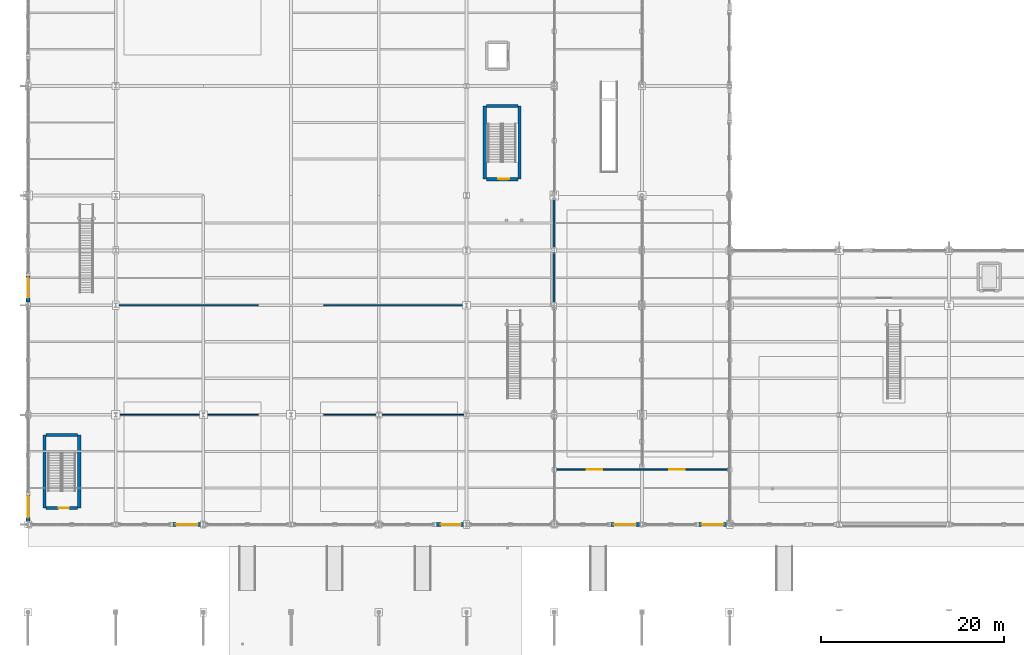
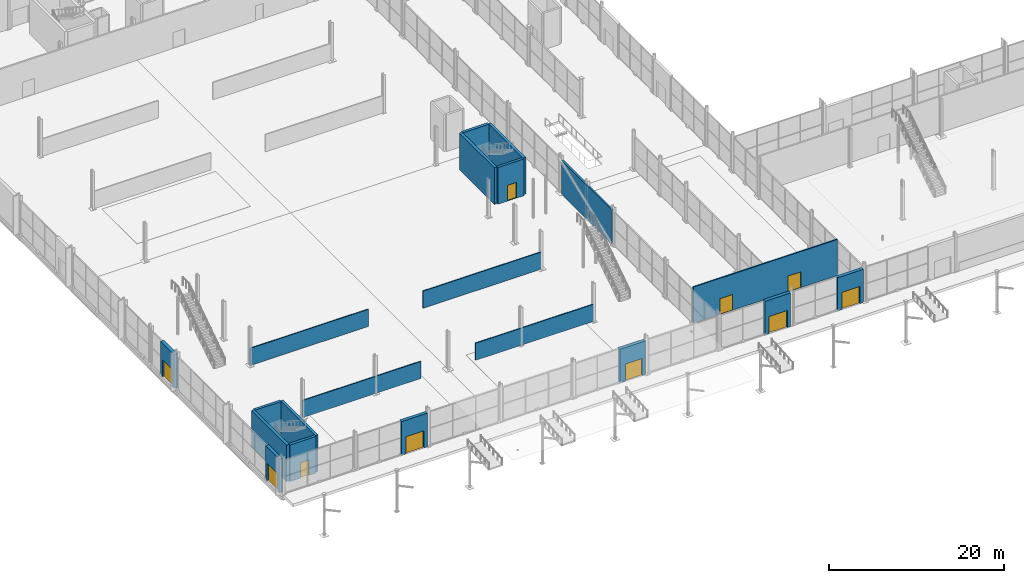
# One storey, part 169 of 196: 20 walls, 10 doors, 10 openings.
"""IFC4 building model written with IfcOpenShell, lengths in metres."""

from ifc_helpers import new_model, si_unit, direction, frame, frame_2d, origin, place, context, subcontext, project, spatial, rectangle, extrude, material, layer, layer_set, type_object, element, fill, save


model = new_model("IFC4")

# Units and contexts
model_context = context("Model", 3, precision=1e-05, world=origin(), true_north=direction((0.0, 1.0)))
body_context = subcontext(model_context, "Body", "Model", "MODEL_VIEW")
ifc_project = project(units=[si_unit("LENGTHUNIT", "METRE"), si_unit("AREAUNIT", "SQUARE_METRE"), si_unit("VOLUMEUNIT", "CUBIC_METRE"), si_unit("PLANEANGLEUNIT", "RADIAN"), si_unit("MASSUNIT", "GRAM", prefix="KILO")], contexts=[model_context])

# Site, building, storey
site_placement = place(None, origin())
site = spatial("IfcSite", under=ifc_project, at=site_placement, CompositionType="ELEMENT")
building_placement = place(site_placement, origin())
building = spatial("IfcBuilding", under=site, at=building_placement, Name="Merenkruunu Market Hall", CompositionType="ELEMENT")
storey_placement = place(building_placement, origin())
storey = spatial("IfcBuildingStorey", under=building, at=storey_placement, Name="L00", CompositionType="ELEMENT", Elevation=0.0)

# Wall, opening, door
ifc_material_1 = material(Name="Kuru grey granite", Category="masonry")
ifc_layer_1 = layer(ifc_material_1, 0.419921875)
ifc_layer_set_1 = layer_set([ifc_layer_1], Name="Kuru grey granite")
wall_type_1 = type_object("IfcWallType", Name="Exterior Envelope Wall EW01", PredefinedType="STANDARD", material=ifc_layer_set_1)
wall_1_placement = place(storey_placement, frame((0.0, 15.928955078125, 0.0), z_axis=(0.0, 0.0, 1.0), x_axis=(0.0, 1.0, 0.0)))
wall_1 = element("IfcWall", 1, at=wall_1_placement, inside=storey, type_object=wall_type_1, Name="WALL-EXT-L00-0001", PredefinedType="STANDARD", context=body_context, shape_type="SweptSolid", body=[
    extrude(rectangle(XDim=3.12109375, YDim=0.419921875, at=frame_2d((1.560546875, 0.0))), origin(), (0.0, 0.0, 1.0), 4.699951171875),
])
opening_1_placement = place(wall_1_placement, frame((0.419921875, 0.0, 0.0)))
opening_1 = element("IfcOpeningElement", 2, at=opening_1_placement, cuts=wall_1, Name="Opening EXD01", PredefinedType="OPENING", context=body_context, shape_type="SweptSolid", body=[
    extrude(rectangle(XDim=2.39990234375, YDim=2.39990234375, at=frame_2d((1.199951171875, 1.199951171875))), frame((0.0, 0.219970703125, 0.0), z_axis=(0.0, -1.0, 0.0), x_axis=(1.0, 0.0, 0.0)), (0.0, 0.0, 1.0), 0.43994140625),
])
ifc_material_2 = material(Name="Powder-coated aluminium", Category="aluminium")
door_type_1 = type_object("IfcDoorType", Name="Pedestrian Exit Door EXD01", OperationType="NOTDEFINED", PredefinedType="DOOR", material=ifc_material_2)
door_1_placement = place(opening_1_placement, origin())
door_1 = element("IfcDoor", 3, at=door_1_placement, inside=storey, type_object=door_type_1, Name="EX-01", OperationType="DOUBLE_DOOR_SINGLE_SWING", OverallHeight=2.39990234375, OverallWidth=2.39990234375, PredefinedType="DOOR", context=body_context, shape_type="SweptSolid", body=[
    extrude(rectangle(XDim=2.39990234375, YDim=2.39990234375, at=frame_2d((1.199951171875, 1.199951171875))), frame((0.0, 0.02490234375, 0.0), z_axis=(0.0, -1.0, 0.0), x_axis=(1.0, 0.0, 0.0)), (0.0, 0.0, 1.0), 0.050048828125),
])
fill(opening_1, door_1)

wall_2_placement = place(storey_placement, frame((0.0, 39.928955078125, 0.0), z_axis=(0.0, 0.0, 1.0), x_axis=(0.0, 1.0, 0.0)))
wall_2 = element("IfcWall", 4, at=wall_2_placement, inside=storey, type_object=wall_type_1, Name="WALL-EXT-L00-0002", PredefinedType="STANDARD", context=body_context, shape_type="SweptSolid", body=[
    extrude(rectangle(XDim=3.12109375, YDim=0.419921875, at=frame_2d((1.560546875, 0.0))), origin(), (0.0, 0.0, 1.0), 4.699951171875),
])
opening_2_placement = place(wall_2_placement, frame((0.47998046875, 0.0, 0.0)))
opening_2 = element("IfcOpeningElement", 5, at=opening_2_placement, cuts=wall_2, Name="Opening EXD02", PredefinedType="OPENING", context=body_context, shape_type="SweptSolid", body=[
    extrude(rectangle(XDim=2.199951171875, YDim=2.39990234375, at=frame_2d((1.10009765625, 1.199951171875))), frame((0.0, 0.219970703125, 0.0), z_axis=(0.0, -1.0, 0.0), x_axis=(1.0, 0.0, 0.0)), (0.0, 0.0, 1.0), 0.43994140625),
])
door_type_2 = type_object("IfcDoorType", Name="Pedestrian Exit Door EXD02", OperationType="NOTDEFINED", PredefinedType="DOOR", material=ifc_material_2)
door_2_placement = place(opening_2_placement, origin())
door_2 = element("IfcDoor", 6, at=door_2_placement, inside=storey, type_object=door_type_2, Name="EX-02", OperationType="DOUBLE_DOOR_SINGLE_SWING", OverallHeight=2.39990234375, OverallWidth=2.199951171875, PredefinedType="DOOR", context=body_context, shape_type="SweptSolid", body=[
    extrude(rectangle(XDim=2.199951171875, YDim=2.39990234375, at=frame_2d((1.10009765625, 1.199951171875))), frame((0.0, 0.02490234375, 0.0), z_axis=(0.0, -1.0, 0.0), x_axis=(1.0, 0.0, 0.0)), (0.0, 0.0, 1.0), 0.050048828125),
])
fill(opening_2, door_2)

wall_3_placement = place(storey_placement, frame((19.0458984375, 15.60009765625, 0.0), z_axis=(0.0, 0.0, 1.0), x_axis=(-1.0, 0.0, 0.0)))
wall_3 = element("IfcWall", 7, at=wall_3_placement, inside=storey, type_object=wall_type_1, Name="WALL-EXT-L00-0012", PredefinedType="STANDARD", context=body_context, shape_type="SweptSolid", body=[
    extrude(rectangle(XDim=3.39599609375, YDim=0.419921875, at=frame_2d((1.697998046875, 0.0))), origin(), (0.0, 0.0, 1.0), 4.699951171875),
])
opening_3_placement = place(wall_3_placement, frame((0.449951171875, 0.0, 0.0)))
opening_3 = element("IfcOpeningElement", 8, at=opening_3_placement, cuts=wall_3, Name="Opening EXD01", PredefinedType="OPENING", context=body_context, shape_type="SweptSolid", body=[
    extrude(rectangle(XDim=2.39990234375, YDim=2.39990234375, at=frame_2d((1.199951171875, 1.199951171875))), frame((0.0, 0.219970703125, 0.0), z_axis=(0.0, -1.0, 0.0), x_axis=(1.0, 0.0, 0.0)), (0.0, 0.0, 1.0), 0.43994140625),
])
door_3_placement = place(opening_3_placement, origin())
door_3 = element("IfcDoor", 9, at=door_3_placement, inside=storey, type_object=door_type_1, Name="EX-05", OperationType="DOUBLE_DOOR_SINGLE_SWING", OverallHeight=2.39990234375, OverallWidth=2.39990234375, PredefinedType="DOOR", context=body_context, shape_type="SweptSolid", body=[
    extrude(rectangle(XDim=2.39990234375, YDim=2.39990234375, at=frame_2d((1.199951171875, 1.199951171875))), frame((0.0, 0.02490234375, 0.0), z_axis=(0.0, -1.0, 0.0), x_axis=(1.0, 0.0, 0.0)), (0.0, 0.0, 1.0), 0.050048828125),
])
fill(opening_3, door_3)

wall_4_placement = place(storey_placement, frame((47.845947265625, 15.60009765625, 0.0), z_axis=(0.0, 0.0, 1.0), x_axis=(-1.0, 0.0, 0.0)))
wall_4 = element("IfcWall", 10, at=wall_4_placement, inside=storey, type_object=wall_type_1, Name="WALL-EXT-L00-0013", PredefinedType="STANDARD", context=body_context, shape_type="SweptSolid", body=[
    extrude(rectangle(XDim=3.39599609375, YDim=0.419921875, at=frame_2d((1.697998046875, 0.0))), origin(), (0.0, 0.0, 1.0), 4.699951171875),
])
opening_4_placement = place(wall_4_placement, frame((0.449951171875, 0.0, 0.0)))
opening_4 = element("IfcOpeningElement", 11, at=opening_4_placement, cuts=wall_4, Name="Opening EXD02", PredefinedType="OPENING", context=body_context, shape_type="SweptSolid", body=[
    extrude(rectangle(XDim=2.199951171875, YDim=2.39990234375, at=frame_2d((1.10009765625, 1.199951171875))), frame((0.0, 0.219970703125, 0.0), z_axis=(0.0, -1.0, 0.0), x_axis=(1.0, 0.0, 0.0)), (0.0, 0.0, 1.0), 0.43994140625),
])
door_4_placement = place(opening_4_placement, origin())
door_4 = element("IfcDoor", 12, at=door_4_placement, inside=storey, type_object=door_type_2, Name="EX-06", OperationType="DOUBLE_DOOR_SINGLE_SWING", OverallHeight=2.39990234375, OverallWidth=2.199951171875, PredefinedType="DOOR", context=body_context, shape_type="SweptSolid", body=[
    extrude(rectangle(XDim=2.199951171875, YDim=2.39990234375, at=frame_2d((1.10009765625, 1.199951171875))), frame((0.0, 0.02490234375, 0.0), z_axis=(0.0, -1.0, 0.0), x_axis=(1.0, 0.0, 0.0)), (0.0, 0.0, 1.0), 0.050048828125),
])
fill(opening_4, door_4)

wall_5_placement = place(storey_placement, frame((66.992919921875, 15.60009765625, 0.0), z_axis=(0.0, 0.0, 1.0), x_axis=(-1.0, 0.0, 0.0)))
wall_5 = element("IfcWall", 13, at=wall_5_placement, inside=storey, type_object=wall_type_1, Name="WALL-EXT-L00-0024", PredefinedType="STANDARD", context=body_context, shape_type="SweptSolid", body=[
    extrude(rectangle(XDim=3.392822265625, YDim=0.419921875, at=frame_2d((1.6962890625, 0.0))), origin(), (0.0, 0.0, 1.0), 4.699951171875),
])
opening_5_placement = place(wall_5_placement, frame((0.449951171875, 0.0, 0.0)))
opening_5 = element("IfcOpeningElement", 14, at=opening_5_placement, cuts=wall_5, Name="Opening EXD01", PredefinedType="OPENING", context=body_context, shape_type="SweptSolid", body=[
    extrude(rectangle(XDim=2.39990234375, YDim=2.39990234375, at=frame_2d((1.199951171875, 1.199951171875))), frame((0.0, 0.219970703125, 0.0), z_axis=(0.0, -1.0, 0.0), x_axis=(1.0, 0.0, 0.0)), (0.0, 0.0, 1.0), 0.43994140625),
])
door_5_placement = place(opening_5_placement, origin())
door_5 = element("IfcDoor", 15, at=door_5_placement, inside=storey, type_object=door_type_1, Name="EX-10", OperationType="DOUBLE_DOOR_SINGLE_SWING", OverallHeight=2.39990234375, OverallWidth=2.39990234375, PredefinedType="DOOR", context=body_context, shape_type="SweptSolid", body=[
    extrude(rectangle(XDim=2.39990234375, YDim=2.39990234375, at=frame_2d((1.199951171875, 1.199951171875))), frame((0.0, 0.02490234375, 0.0), z_axis=(0.0, -1.0, 0.0), x_axis=(1.0, 0.0, 0.0)), (0.0, 0.0, 1.0), 0.050048828125),
])
fill(opening_5, door_5)

wall_6_placement = place(storey_placement, frame((76.5927734375, 15.60009765625, 0.0), z_axis=(0.0, 0.0, 1.0), x_axis=(-1.0, 0.0, 0.0)))
wall_6 = element("IfcWall", 16, at=wall_6_placement, inside=storey, type_object=wall_type_1, Name="WALL-EXT-L00-0026", PredefinedType="STANDARD", context=body_context, shape_type="SweptSolid", body=[
    extrude(rectangle(XDim=3.392822265625, YDim=0.419921875, at=frame_2d((1.6962890625, 0.0))), origin(), (0.0, 0.0, 1.0), 4.635009765625),
])
opening_6_placement = place(wall_6_placement, frame((0.449951171875, 0.0, 0.0)))
opening_6 = element("IfcOpeningElement", 17, at=opening_6_placement, cuts=wall_6, Name="Opening EXD01", PredefinedType="OPENING", context=body_context, shape_type="SweptSolid", body=[
    extrude(rectangle(XDim=2.39990234375, YDim=2.39990234375, at=frame_2d((1.199951171875, 1.199951171875))), frame((0.0, 0.219970703125, 0.0), z_axis=(0.0, -1.0, 0.0), x_axis=(1.0, 0.0, 0.0)), (0.0, 0.0, 1.0), 0.43994140625),
])
door_6_placement = place(opening_6_placement, origin())
door_6 = element("IfcDoor", 18, at=door_6_placement, inside=storey, type_object=door_type_1, Name="EX-12", OperationType="DOUBLE_DOOR_SINGLE_SWING", OverallHeight=2.39990234375, OverallWidth=2.39990234375, PredefinedType="DOOR", context=body_context, shape_type="SweptSolid", body=[
    extrude(rectangle(XDim=2.39990234375, YDim=2.39990234375, at=frame_2d((1.199951171875, 1.199951171875))), frame((0.0, 0.02490234375, 0.0), z_axis=(0.0, -1.0, 0.0), x_axis=(1.0, 0.0, 0.0)), (0.0, 0.0, 1.0), 0.050048828125),
])
fill(opening_6, door_6)

# Wall
ifc_material_3 = material(Name="Acoustic mineral wool panel")
ifc_layer_2 = layer(ifc_material_3, 0.219970703125)
ifc_layer_set_2 = layer_set([ifc_layer_2], Name="Acoustic mineral wool panel")
wall_type_2 = type_object("IfcWallType", Name="Interior Partition Wall FW01", PredefinedType="PARTITIONING", material=ifc_layer_set_2)
wall_7_placement = place(storey_placement, frame((57.60009765625, 39.8798828125, 0.0), z_axis=(0.0, 0.0, 1.0), x_axis=(0.0, 1.0, 0.0)))
element("IfcWall", 19, at=wall_7_placement, inside=storey, type_object=wall_type_2, Name="WALL-EXT-L00-0020", PredefinedType="PARTITIONING", context=body_context, shape_type="SweptSolid", body=[
    extrude(rectangle(XDim=11.440185546875, YDim=0.219970703125, at=frame_2d((5.72021484375, 0.0))), origin(), (0.0, 0.0, 1.0), 4.75),
])

# Wall, openings, doors
ifc_material_4 = material(Name="Gypsum acoustic partition board")
ifc_layer_3 = layer(ifc_material_4, 0.159912109375)
ifc_layer_set_3 = layer_set([ifc_layer_3], Name="Gypsum acoustic partition board")
wall_type_3 = type_object("IfcWallType", Name="Interior Partition Wall PW01", PredefinedType="PARTITIONING", material=ifc_layer_set_3)
wall_8_placement = place(storey_placement, frame((57.681884765625, 21.60009765625, 0.0), z_axis=(0.0, 0.0, 1.0), x_axis=(1.0, 0.0, 0.0)))
wall_8 = element("IfcWall", 20, at=wall_8_placement, inside=storey, type_object=wall_type_3, Name="WALL-INT-L00-0033", PredefinedType="PARTITIONING", context=body_context, shape_type="SweptSolid", body=[
    extrude(rectangle(XDim=19.0361328125, YDim=0.159912109375, at=frame_2d((9.51806640625, 0.0))), origin(), (0.0, 0.0, 1.0), 5.0400390625),
])
opening_7_placement = place(wall_8_placement, frame((3.5, 0.0, 0.0)))
opening_7 = element("IfcOpeningElement", 21, at=opening_7_placement, cuts=wall_8, Name="Opening D07", PredefinedType="OPENING", context=body_context, shape_type="SweptSolid", body=[
    extrude(rectangle(XDim=1.699951171875, YDim=2.199951171875, at=frame_2d((0.85009765625, 1.10009765625))), frame((0.0, 0.08984375, 0.0), z_axis=(0.0, -1.0, 0.0), x_axis=(1.0, 0.0, 0.0)), (0.0, 0.0, 1.0), 0.179931640625),
])
opening_8_placement = place(wall_8_placement, frame((12.5, 0.0, 0.0)))
opening_8 = element("IfcOpeningElement", 22, at=opening_8_placement, cuts=wall_8, Name="Opening D07", PredefinedType="OPENING", context=body_context, shape_type="SweptSolid", body=[
    extrude(rectangle(XDim=1.699951171875, YDim=2.199951171875, at=frame_2d((0.85009765625, 1.10009765625))), frame((0.0, 0.08984375, 0.0), z_axis=(0.0, -1.0, 0.0), x_axis=(1.0, 0.0, 0.0)), (0.0, 0.0, 1.0), 0.179931640625),
])
ifc_material_5 = material(Name="Lacquered Nordic birch")
door_type_3 = type_object("IfcDoorType", Name="Pedestrian Room Door D07", OperationType="NOTDEFINED", PredefinedType="DOOR", material=ifc_material_5)
door_7_placement = place(opening_7_placement, origin())
door_7 = element("IfcDoor", 23, at=door_7_placement, inside=storey, type_object=door_type_3, Name="DR-L00-033", OperationType="DOUBLE_DOOR_SINGLE_SWING", OverallHeight=2.199951171875, OverallWidth=1.699951171875, PredefinedType="DOOR", context=body_context, shape_type="SweptSolid", body=[
    extrude(rectangle(XDim=1.699951171875, YDim=2.199951171875, at=frame_2d((0.85009765625, 1.10009765625))), frame((0.0, 0.02490234375, 0.0), z_axis=(0.0, -1.0, 0.0), x_axis=(1.0, 0.0, 0.0)), (0.0, 0.0, 1.0), 0.050048828125),
])
fill(opening_7, door_7)
door_8_placement = place(opening_8_placement, origin())
door_8 = element("IfcDoor", 24, at=door_8_placement, inside=storey, type_object=door_type_3, Name="DR-L00-034", OperationType="DOUBLE_DOOR_SINGLE_SWING", OverallHeight=2.199951171875, OverallWidth=1.699951171875, PredefinedType="DOOR", context=body_context, shape_type="SweptSolid", body=[
    extrude(rectangle(XDim=1.699951171875, YDim=2.199951171875, at=frame_2d((0.85009765625, 1.10009765625))), frame((0.0, 0.02490234375, 0.0), z_axis=(0.0, -1.0, 0.0), x_axis=(1.0, 0.0, 0.0)), (0.0, 0.0, 1.0), 0.050048828125),
])
fill(opening_8, door_8)

# Walls
ifc_material_6 = material(Name="Lacquered Nordic birch stall divider", Category="wood")
ifc_layer_4 = layer(ifc_material_6, 0.1201171875)
ifc_layer_set_4 = layer_set([ifc_layer_4], Name="Lacquered Nordic birch stall divider")
wall_type_4 = type_object("IfcWallType", Name="Interior Partition Wall PW03", PredefinedType="PARTITIONING", material=ifc_layer_set_4)
for number, where, z_axis, x_axis, name in (
    (25, (9.60009765625, 27.60009765625, 0.0), (0.0, 0.0, 1.0), (1.0, 0.0, 0.0), "WALL-INT-L00-0020"),
    (26, (9.60009765625, 39.60009765625, 0.0), (0.0, 0.0, 1.0), (1.0, 0.0, 0.0), "WALL-INT-L00-0021"),
):
    element("IfcWall", number, at=place(storey_placement, frame(where, z_axis=z_axis, x_axis=x_axis)), inside=storey, type_object=wall_type_4, Name=name, PredefinedType="PARTITIONING", context=body_context, shape_type="SweptSolid", body=[
        extrude(rectangle(XDim=15.599853515625, YDim=0.1201171875, at=frame_2d((7.7998046875, 0.0))), origin(), (0.0, 0.0, 1.0), 2.39990234375),
    ])
for number, where, z_axis, x_axis, name in (
    (27, (32.39990234375, 27.60009765625, 0.0), (0.0, 0.0, 1.0), (1.0, 0.0, 0.0), "WALL-INT-L00-0024"),
    (28, (32.39990234375, 39.60009765625, 0.0), (0.0, 0.0, 1.0), (1.0, 0.0, 0.0), "WALL-INT-L00-0025"),
):
    element("IfcWall", number, at=place(storey_placement, frame(where, z_axis=z_axis, x_axis=x_axis)), inside=storey, type_object=wall_type_4, Name=name, PredefinedType="PARTITIONING", context=body_context, shape_type="SweptSolid", body=[
        extrude(rectangle(XDim=15.60009765625, YDim=0.1201171875, at=frame_2d((7.800048828125, 0.0))), origin(), (0.0, 0.0, 1.0), 2.39990234375),
    ])

# Wall, opening, door
ifc_material_7 = material(Name="Concrete C35/45", Category="concrete")
ifc_layer_5 = layer(ifc_material_7, 0.360107421875)
ifc_layer_set_5 = layer_set([ifc_layer_5], Name="Concrete C35/45")
wall_type_5 = type_object("IfcWallType", Name="Structural Shear Wall SW01", PredefinedType="SHEAR", material=ifc_layer_set_5)
wall_9_placement = place(storey_placement, frame((5.419921875, 17.39990234375, 0.0), z_axis=(0.0, 0.0, 1.0), x_axis=(-1.0, 0.0, 0.0)))
wall_9 = element("IfcWall", 29, at=wall_9_placement, inside=storey, type_object=wall_type_5, Name="WALL-CORE-K2-L00-S", PredefinedType="SHEAR", context=body_context, shape_type="SweptSolid", body=[
    extrude(rectangle(XDim=3.43994140625, YDim=0.360107421875, at=frame_2d((1.719970703125, 0.0))), origin(), (0.0, 0.0, 1.0), 5.1201171875),
])
opening_9_placement = place(wall_9_placement, frame((0.949951171875, 0.0, 0.0)))
opening_9 = element("IfcOpeningElement", 30, at=opening_9_placement, cuts=wall_9, Name="Opening FD02", PredefinedType="OPENING", context=body_context, shape_type="SweptSolid", body=[
    extrude(rectangle(XDim=1.10009765625, YDim=2.14990234375, at=frame_2d((0.550048828125, 1.074951171875))), frame((0.0, 0.18994140625, 0.0), z_axis=(0.0, -1.0, 0.0), x_axis=(1.0, 0.0, 0.0)), (0.0, 0.0, 1.0), 0.380126953125),
])
door_type_4 = type_object("IfcDoorType", Name="Fire Compartment Door FD02", OperationType="NOTDEFINED", PredefinedType="DOOR", material=ifc_material_2)
door_9_placement = place(opening_9_placement, origin())
door_9 = element("IfcDoor", 31, at=door_9_placement, inside=storey, type_object=door_type_4, Name="DR-L00-102", OperationType="SINGLE_SWING_RIGHT", OverallHeight=2.14990234375, OverallWidth=1.10009765625, PredefinedType="DOOR", context=body_context, shape_type="SweptSolid", body=[
    extrude(rectangle(XDim=1.10009765625, YDim=2.14990234375, at=frame_2d((0.550048828125, 1.074951171875))), frame((0.0, 0.02490234375, 0.0), z_axis=(0.0, -1.0, 0.0), x_axis=(1.0, 0.0, 0.0)), (0.0, 0.0, 1.0), 0.050048828125),
])
fill(opening_9, door_9)

# Walls
wall_10_placement = place(storey_placement, frame((5.60009765625, 17.39990234375, 0.0), z_axis=(0.0, 0.0, 1.0), x_axis=(0.0, 1.0, 0.0)))
element("IfcWall", 32, at=wall_10_placement, inside=storey, type_object=wall_type_5, Name="WALL-CORE-K2-L00-E", PredefinedType="SHEAR", context=body_context, shape_type="SweptSolid", body=[
    extrude(rectangle(XDim=8.0, YDim=0.360107421875, at=frame_2d((4.0, 0.0))), origin(), (0.0, 0.0, 1.0), 5.1201171875),
])
wall_11_placement = place(storey_placement, frame((5.419921875, 25.39990234375, 0.0), z_axis=(0.0, 0.0, 1.0), x_axis=(-1.0, 0.0, 0.0)))
element("IfcWall", 33, at=wall_11_placement, inside=storey, type_object=wall_type_5, Name="WALL-CORE-K2-L00-N", PredefinedType="SHEAR", context=body_context, shape_type="SweptSolid", body=[
    extrude(rectangle(XDim=3.43994140625, YDim=0.360107421875, at=frame_2d((1.719970703125, 0.0))), origin(), (0.0, 0.0, 1.0), 5.1201171875),
])
wall_12_placement = place(storey_placement, frame((1.800048828125, 25.39990234375, 0.0), z_axis=(0.0, 0.0, 1.0), x_axis=(0.0, -1.0, 0.0)))
element("IfcWall", 34, at=wall_12_placement, inside=storey, type_object=wall_type_5, Name="WALL-CORE-K2-L00-W", PredefinedType="SHEAR", context=body_context, shape_type="SweptSolid", body=[
    extrude(rectangle(XDim=8.0, YDim=0.360107421875, at=frame_2d((4.0, 0.0))), origin(), (0.0, 0.0, 1.0), 5.1201171875),
])

# Wall, opening, door
wall_13_placement = place(storey_placement, frame((53.6201171875, 53.39990234375, 0.0), z_axis=(0.0, 0.0, 1.0), x_axis=(-1.0, 0.0, 0.0)))
wall_13 = element("IfcWall", 35, at=wall_13_placement, inside=storey, type_object=wall_type_5, Name="WALL-CORE-K3-L00-S", PredefinedType="SHEAR", context=body_context, shape_type="SweptSolid", body=[
    extrude(rectangle(XDim=3.440185546875, YDim=0.360107421875, at=frame_2d((1.72021484375, 0.0))), origin(), (0.0, 0.0, 1.0), 5.1201171875),
])
opening_10_placement = place(wall_13_placement, frame((0.949951171875, 0.0, 0.0)))
opening_10 = element("IfcOpeningElement", 36, at=opening_10_placement, cuts=wall_13, Name="Opening FD03", PredefinedType="OPENING", context=body_context, shape_type="SweptSolid", body=[
    extrude(rectangle(XDim=1.199951171875, YDim=2.199951171875, at=frame_2d((0.60009765625, 1.10009765625))), frame((0.0, 0.18994140625, 0.0), z_axis=(0.0, -1.0, 0.0), x_axis=(1.0, 0.0, 0.0)), (0.0, 0.0, 1.0), 0.380126953125),
])
door_type_5 = type_object("IfcDoorType", Name="Fire Compartment Door FD03", OperationType="NOTDEFINED", PredefinedType="DOOR", material=ifc_material_2)
door_10_placement = place(opening_10_placement, origin())
door_10 = element("IfcDoor", 37, at=door_10_placement, inside=storey, type_object=door_type_5, Name="DR-L00-105", OperationType="SINGLE_SWING_LEFT", OverallHeight=2.199951171875, OverallWidth=1.199951171875, PredefinedType="DOOR", context=body_context, shape_type="SweptSolid", body=[
    extrude(rectangle(XDim=1.199951171875, YDim=2.199951171875, at=frame_2d((0.60009765625, 1.10009765625))), frame((0.0, 0.02490234375, 0.0), z_axis=(0.0, -1.0, 0.0), x_axis=(1.0, 0.0, 0.0)), (0.0, 0.0, 1.0), 0.050048828125),
])
fill(opening_10, door_10)

# Walls
wall_14_placement = place(storey_placement, frame((53.800048828125, 53.39990234375, 0.0), z_axis=(0.0, 0.0, 1.0), x_axis=(0.0, 1.0, 0.0)))
element("IfcWall", 38, at=wall_14_placement, inside=storey, type_object=wall_type_5, Name="WALL-CORE-K3-L00-E", PredefinedType="SHEAR", context=body_context, shape_type="SweptSolid", body=[
    extrude(rectangle(XDim=8.0, YDim=0.360107421875, at=frame_2d((4.0, 0.0))), origin(), (0.0, 0.0, 1.0), 5.1201171875),
])
wall_15_placement = place(storey_placement, frame((53.6201171875, 61.39990234375, 0.0), z_axis=(0.0, 0.0, 1.0), x_axis=(-1.0, 0.0, 0.0)))
element("IfcWall", 39, at=wall_15_placement, inside=storey, type_object=wall_type_5, Name="WALL-CORE-K3-L00-N", PredefinedType="SHEAR", context=body_context, shape_type="SweptSolid", body=[
    extrude(rectangle(XDim=3.440185546875, YDim=0.360107421875, at=frame_2d((1.72021484375, 0.0))), origin(), (0.0, 0.0, 1.0), 5.1201171875),
])
wall_16_placement = place(storey_placement, frame((50.0, 61.39990234375, 0.0), z_axis=(0.0, 0.0, 1.0), x_axis=(0.0, -1.0, 0.0)))
element("IfcWall", 40, at=wall_16_placement, inside=storey, type_object=wall_type_5, Name="WALL-CORE-K3-L00-W", PredefinedType="SHEAR", context=body_context, shape_type="SweptSolid", body=[
    extrude(rectangle(XDim=8.0, YDim=0.360107421875, at=frame_2d((4.0, 0.0))), origin(), (0.0, 0.0, 1.0), 5.1201171875),
])

save(model, "model.ifc")
